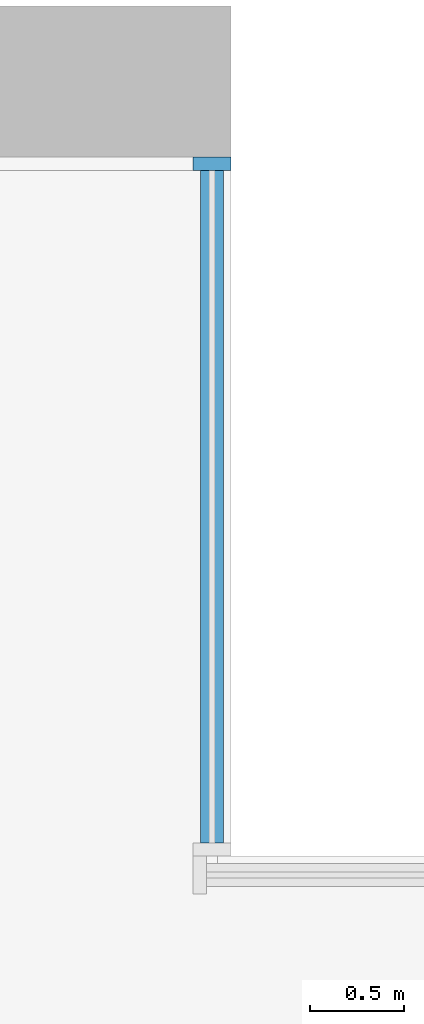
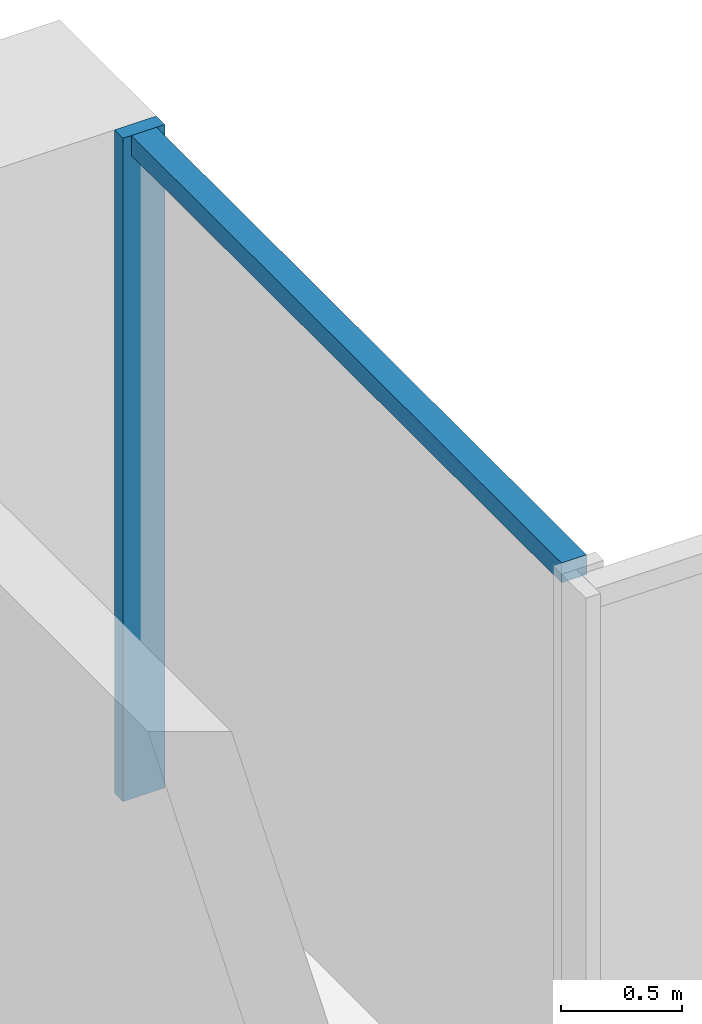
# One storey, part 6 of 16: 2 members, 1 element without a shape of its own.
"""IFC4 building model written with IfcOpenShell, lengths in metres."""

from ifc_helpers import new_model, si_unit, direction, frame, origin, origin_2d, place, context, subcontext, project, spatial, rectangle, extrude, material, material_profile, profile_set, type_object, element, aggregate, save


model = new_model("IFC4")

# Units and contexts
model_context = context("Model", 3, precision=1e-05, world=origin(), true_north=direction((0.0, 1.0)))
body_context = subcontext(model_context, "Body", "Model", "MODEL_VIEW")
ifc_project = project(units=[si_unit("LENGTHUNIT", "METRE"), si_unit("AREAUNIT", "SQUARE_METRE"), si_unit("VOLUMEUNIT", "CUBIC_METRE"), si_unit("PLANEANGLEUNIT", "RADIAN"), si_unit("MASSUNIT", "GRAM", prefix="KILO")], contexts=[model_context])

# Site, building, storey
site_placement = place(None, origin())
site = spatial("IfcSite", under=ifc_project, at=site_placement, CompositionType="ELEMENT")
building_placement = place(site_placement, origin())
building = spatial("IfcBuilding", under=site, at=building_placement, Name="Calvaro Tower", CompositionType="ELEMENT")
storey_placement = place(building_placement, frame((0.0, 0.0, 140.0)))
storey = spatial("IfcBuildingStorey", under=building, at=storey_placement, Name="L35", CompositionType="ELEMENT", Elevation=140.0)

# Curtain wall, members
ifc_material_1 = material(Name="Anodised aluminium", Category="aluminium")
curtain_wall_type = type_object("IfcCurtainWallType", Name="Office curtain wall, middle zone", PredefinedType="NOTDEFINED", material=ifc_material_1)
curtain_wall_placement = place(storey_placement, origin())
curtain_wall = element("IfcCurtainWall", 1, at=curtain_wall_placement, inside=storey, type_object=curtain_wall_type, Name="CW2 corner curtain wall", PredefinedType="NOTDEFINED")
ifc_material_2 = material(Name="Anodised aluminium", Category="aluminium")
ifc_material_profile_1 = material_profile(ifc_material_2, rectangle(XDim=0.199951171875, YDim=0.070068359375, at=origin_2d()), Name="Mullion S2 70 x 200")
ifc_profile_set_1 = profile_set([ifc_material_profile_1], Name="Anodised aluminium")
member_type_1 = type_object("IfcMemberType", Name="Mullion S2 70 x 200", PredefinedType="MULLION", material=ifc_profile_set_1)
member_1_placement = place(storey_placement, frame((66.35009765625, 45.1650390625, 0.0), z_axis=(0.0, 0.0, 1.0), x_axis=(-1.0, 0.0, 0.0)))
member_1 = element("IfcMember", 2, at=member_1_placement, type_object=member_type_1, Name="CW2 mullion 2", PredefinedType="MULLION", context=body_context, shape_type="SweptSolid", body=[
    extrude(rectangle(XDim=0.199951171875, YDim=0.070068359375, at=origin_2d()), origin(), (0.0, 0.0, 1.0), 3.35009765625),
])
ifc_material_3 = material(Name="Anodised aluminium", Category="aluminium")
ifc_material_profile_2 = material_profile(ifc_material_3, rectangle(XDim=0.1201171875, YDim=0.10009765625, at=origin_2d()), Name="Transom S2 100 x 120")
ifc_profile_set_2 = profile_set([ifc_material_profile_2], Name="Anodised aluminium")
member_type_2 = type_object("IfcMemberType", Name="Transom S2 100 x 120", PredefinedType="USERDEFINED", material=ifc_profile_set_2)
member_2_placement = place(storey_placement, frame((66.35009765625, 41.570068359375, 3.300048828125), z_axis=(0.0, 1.0, 0.0), x_axis=(-1.0, 0.0, 0.0)))
member_2 = element("IfcMember", 3, at=member_2_placement, type_object=member_type_2, Name="CW2 transom 1.1", ObjectType="TRANSOM", PredefinedType="USERDEFINED", context=body_context, shape_type="SweptSolid", body=[
    extrude(rectangle(XDim=0.1201171875, YDim=0.10009765625, at=origin_2d()), origin(), (0.0, 0.0, 1.0), 3.559814453125),
])
aggregate(curtain_wall, [member_1, member_2])

save(model, "model.ifc")
